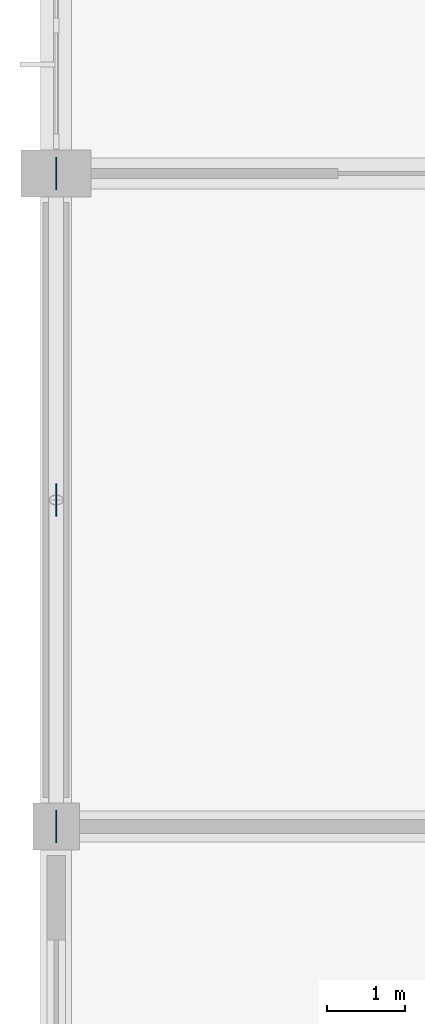
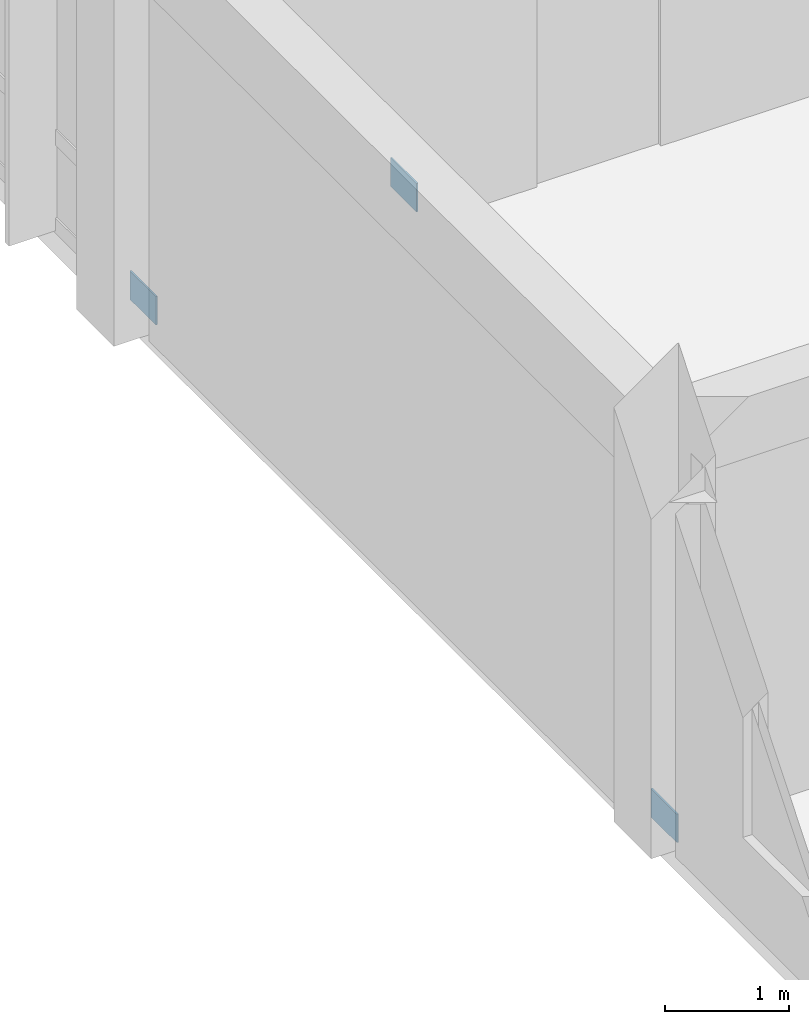
# One storey, part 93 of 144: 3 plates.
"""IFC4 building model written with IfcOpenShell, lengths in metres."""

from ifc_helpers import new_model, si_unit, direction, frame, origin, origin_2d, place, context, subcontext, project, spatial, rectangle, extrude, material, layer, layer_set, type_object, element, save


model = new_model("IFC4")

# Units and contexts
model_context = context("Model", 3, precision=1e-05, world=origin(), true_north=direction((0.0, 1.0)))
body_context = subcontext(model_context, "Body", "Model", "MODEL_VIEW")
ifc_project = project(units=[si_unit("LENGTHUNIT", "METRE"), si_unit("AREAUNIT", "SQUARE_METRE"), si_unit("VOLUMEUNIT", "CUBIC_METRE"), si_unit("PLANEANGLEUNIT", "RADIAN"), si_unit("MASSUNIT", "GRAM", prefix="KILO")], contexts=[model_context])

# Site, building, storey
site_placement = place(None, origin())
site = spatial("IfcSite", under=ifc_project, at=site_placement, CompositionType="ELEMENT")
building_placement = place(site_placement, origin())
building = spatial("IfcBuilding", under=site, at=building_placement, Name="Bramfleet General Hospital", CompositionType="ELEMENT")
storey_placement = place(building_placement, frame((0.0, 0.0, 4.800048828125)))
storey = spatial("IfcBuildingStorey", under=building, at=storey_placement, Name="L01", CompositionType="ELEMENT", Elevation=4.800048828125)

# Plates
ifc_material = material(Name="Steel S355", Category="steel")
ifc_layer = layer(ifc_material, 0.01611328125, Name="PL-GP-420")
ifc_layer_set = layer_set([ifc_layer], Name="Steel S355")
plate_type = type_object("IfcPlateType", Name="PL-GP-420", PredefinedType="USERDEFINED", material=ifc_layer_set)
for number, where, z_axis, x_axis, name in (
    (1, (0.0, 71.39990234375, 3.66015625), (0.0, 0.0, 1.0), (1.0, 0.0, 0.0), "L01 Chevron Gusset Plate 8"),
    (2, (0.0, 67.199951171875, 0.0), (0.0, 0.0, 1.0), (1.0, 0.0, 0.0), "L01 Brace Foot Gusset Plate 8A"),
    (3, (0.0, 75.60009765625, 0.0), (0.0, 0.0, 1.0), (1.0, 0.0, 0.0), "L01 Brace Foot Gusset Plate 8B"),
):
    element("IfcPlate", number, at=place(storey_placement, frame(where, z_axis=z_axis, x_axis=x_axis)), inside=storey, type_object=plate_type, Name=name, ObjectType="Gusset plate", PredefinedType="USERDEFINED", context=body_context, shape_type="SweptSolid", body=[
        extrude(rectangle(XDim=0.01611328125, YDim=0.419921875, at=origin_2d()), origin(), (0.0, 0.0, 1.0), 0.280029296875),
    ])

save(model, "model.ifc")
